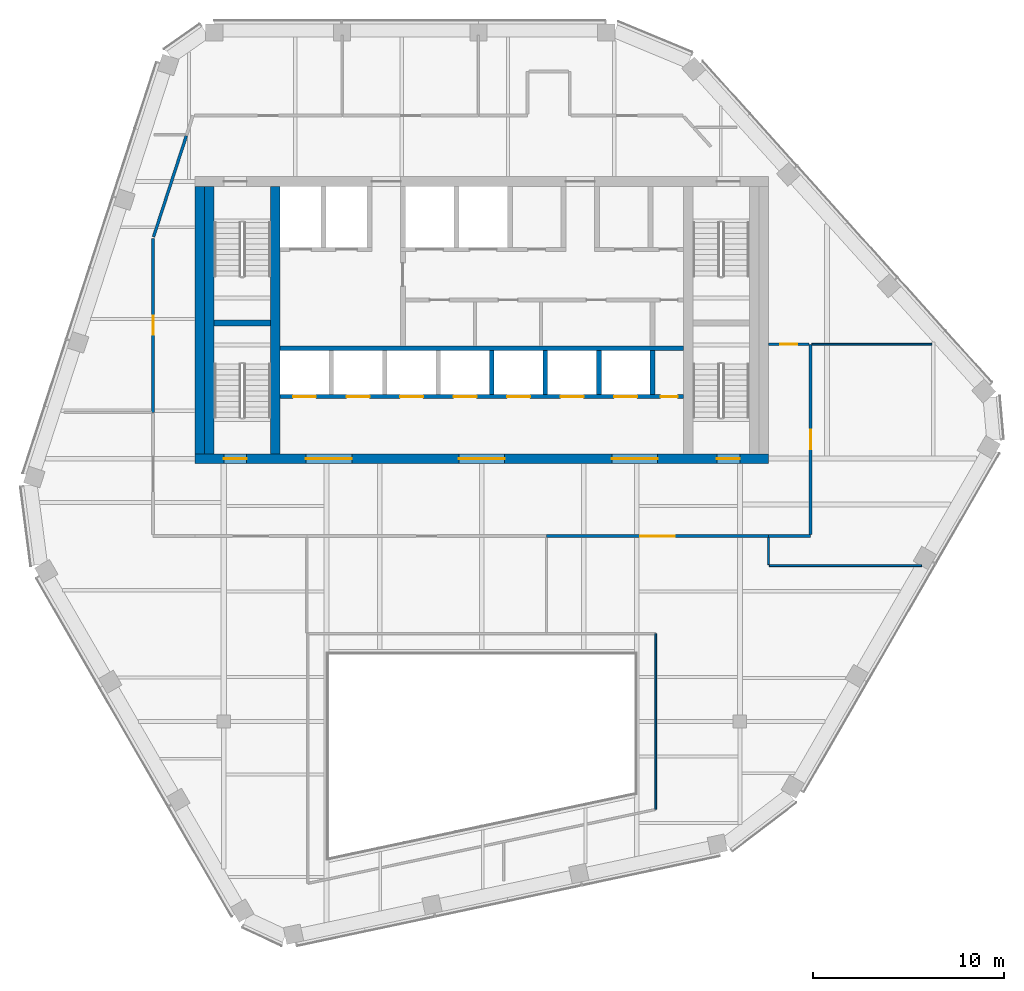
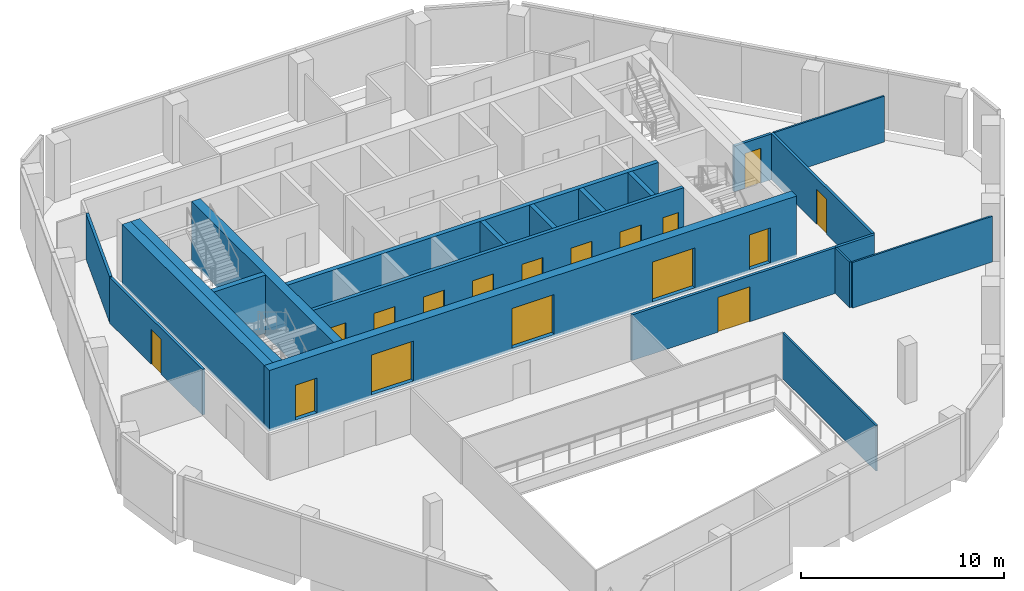
# One storey, part 8 of 15: 21 walls, 17 doors, 17 openings.
"""IFC4 building model written with IfcOpenShell, lengths in metres."""

from ifc_helpers import new_model, si_unit, direction, frame, frame_2d, origin, place, context, subcontext, project, spatial, rectangle, extrude, material, layer, layer_set, type_object, element, fill, save


model = new_model("IFC4")

# Units and contexts
model_context = context("Model", 3, precision=1e-05, world=origin(), true_north=direction((0.0, 1.0)))
body_context = subcontext(model_context, "Body", "Model", "MODEL_VIEW")
ifc_project = project(units=[si_unit("LENGTHUNIT", "METRE"), si_unit("AREAUNIT", "SQUARE_METRE"), si_unit("VOLUMEUNIT", "CUBIC_METRE"), si_unit("PLANEANGLEUNIT", "RADIAN"), si_unit("MASSUNIT", "GRAM", prefix="KILO")], contexts=[model_context])

# Site, building, storey
site_placement = place(None, origin())
site = spatial("IfcSite", under=ifc_project, at=site_placement, CompositionType="ELEMENT")
building_placement = place(site_placement, origin())
building = spatial("IfcBuilding", under=site, at=building_placement, Name="Isthmus Gate Tower", CompositionType="ELEMENT")
storey_placement = place(building_placement, frame((0.0, 0.0, 275.550048828125)))
storey = spatial("IfcBuildingStorey", under=building, at=storey_placement, Name="L70", CompositionType="ELEMENT", Elevation=275.550048828125)

# Wall
ifc_material_1 = material(Name="Fire-rated laminated glass in steel frame", Category="steel")
ifc_layer_1 = layer(ifc_material_1, 0.10009765625)
ifc_layer_set_1 = layer_set([ifc_layer_1], Name="ATRIUM SCREEN GLAZED WALL 100 120 MIN")
wall_type_1 = type_object("IfcWallType", Name="ATRIUM SCREEN GLAZED WALL 100 120 MIN", PredefinedType="PARTITIONING", material=ifc_layer_set_1)
wall_1_placement = place(storey_placement, frame((9.10009765625, -8.89990234375, 0.0), z_axis=(0.0, 0.0, 1.0), x_axis=(0.0, -1.0, 0.0)))
element("IfcWall", 1, at=wall_1_placement, inside=storey, type_object=wall_type_1, Name="L70 atrium screen", PredefinedType="PARTITIONING", context=body_context, shape_type="SweptSolid", body=[
    extrude(rectangle(XDim=9.200927734375, YDim=0.10009765625, at=frame_2d((4.6005859375, 0.0))), origin(), (0.0, 0.0, 1.0), 2.750732421875),
])

# Wall, opening, door
ifc_material_2 = material(Name="Gypsum board on steel studs, fire-rated", Category="steel")
ifc_layer_2 = layer(ifc_material_2, 0.14990234375)
ifc_layer_set_2 = layer_set([ifc_layer_2], Name="CORRIDOR WALL 150 60 MIN")
wall_type_2 = type_object("IfcWallType", Name="CORRIDOR WALL 150 60 MIN", PredefinedType="PARTITIONING", material=ifc_layer_set_2)
wall_2_placement = place(storey_placement, frame((15.0, -3.800048828125, 0.0), z_axis=(0.0, 0.0, 1.0), x_axis=(-1.0, 0.0, 0.0)))
wall_2 = element("IfcWall", 2, at=wall_2_placement, inside=storey, type_object=wall_type_2, Name="L70 Corridor Wall 150 60 Min", PredefinedType="PARTITIONING", context=body_context, shape_type="SweptSolid", body=[
    extrude(rectangle(XDim=11.614990234375, YDim=0.14990234375, at=frame_2d((5.8076171875, 0.0))), origin(), (0.0, 0.0, 1.0), 2.750732421875),
])
opening_1_placement = place(wall_2_placement, frame((4.907470703125, 0.0, 0.0)))
opening_1 = element("IfcOpeningElement", 3, at=opening_1_placement, cuts=wall_2, Name="Opening DT-T6B-10", PredefinedType="OPENING", context=body_context, shape_type="SweptSolid", body=[
    extrude(rectangle(XDim=1.800048828125, YDim=2.10009765625, at=frame_2d((0.89990234375, 1.050048828125))), frame((0.0, 0.0849609375, 0.0), z_axis=(0.0, -1.0, 0.0), x_axis=(1.0, 0.0, 0.0)), (0.0, 0.0, 1.0), 0.169921875),
])
ifc_material_3 = material(Name="Solid core timber door leaf, fire-rated", Category="wood")
door_type_1 = type_object("IfcDoorType", Name="FIRE DOOR ROOM 1800 X 2100 60 MIN", OperationType="DOUBLE_DOOR_DOUBLE_SWING", PredefinedType="DOOR", material=ifc_material_3)
door_1_placement = place(opening_1_placement, origin())
door_1 = element("IfcDoor", 4, at=door_1_placement, inside=storey, type_object=door_type_1, Name="L70 room door", OperationType="DOUBLE_DOOR_DOUBLE_SWING", OverallHeight=2.10009765625, OverallWidth=1.800048828125, PredefinedType="DOOR", context=body_context, shape_type="SweptSolid", body=[
    extrude(rectangle(XDim=1.800048828125, YDim=2.10009765625, at=frame_2d((0.89990234375, 1.050048828125))), frame((0.0, 0.02490234375, 0.0), z_axis=(0.0, -1.0, 0.0), x_axis=(1.0, 0.0, 0.0)), (0.0, 0.0, 1.0), 0.050048828125),
])
fill(opening_1, door_1)

# Wall
wall_3_placement = place(storey_placement, frame((17.199951171875, -3.800048828125, 0.0), z_axis=(0.0, 0.0, 1.0), x_axis=(-1.0, 0.0, 0.0)))
element("IfcWall", 5, at=wall_3_placement, inside=storey, type_object=wall_type_2, Name="L70 Corridor Wall 150 60 Min", PredefinedType="PARTITIONING", context=body_context, shape_type="SweptSolid", body=[
    extrude(rectangle(XDim=2.199951171875, YDim=0.14990234375, at=frame_2d((1.10009765625, 0.0))), origin(), (0.0, 0.0, 1.0), 2.750732421875),
])

# Wall, opening, door
wall_4_placement = place(storey_placement, frame((17.199951171875, 6.235107421875, 0.0), z_axis=(0.0, 0.0, 1.0), x_axis=(0.0, -1.0, 0.0)))
wall_4 = element("IfcWall", 6, at=wall_4_placement, inside=storey, type_object=wall_type_2, Name="L70 Corridor Wall 150 60 Min", PredefinedType="PARTITIONING", context=body_context, shape_type="SweptSolid", body=[
    extrude(rectangle(XDim=9.960205078125, YDim=0.14990234375, at=frame_2d((4.97998046875, 0.0))), origin(), (0.0, 0.0, 1.0), 2.750732421875),
])
opening_2_placement = place(wall_4_placement, frame((4.47998046875, 0.0, 0.0)))
opening_2 = element("IfcOpeningElement", 7, at=opening_2_placement, cuts=wall_4, Name="Opening DT-T6B-06", PredefinedType="OPENING", context=body_context, shape_type="SweptSolid", body=[
    extrude(rectangle(XDim=1.0, YDim=2.10009765625, at=frame_2d((0.5, 1.050048828125))), frame((0.0, 0.0849609375, 0.0), z_axis=(0.0, -1.0, 0.0), x_axis=(1.0, 0.0, 0.0)), (0.0, 0.0, 1.0), 0.169921875),
])
ifc_material_4 = material(Name="Solid core timber door leaf, fire-rated", Category="wood")
door_type_2 = type_object("IfcDoorType", Name="FIRE DOOR ROOM 1000 X 2100 60 MIN", OperationType="SINGLE_SWING_LEFT", PredefinedType="DOOR", material=ifc_material_4)
door_2_placement = place(opening_2_placement, origin())
door_2 = element("IfcDoor", 8, at=door_2_placement, inside=storey, type_object=door_type_2, Name="L70 room door", OperationType="SINGLE_SWING_RIGHT", OverallHeight=2.10009765625, OverallWidth=1.0, PredefinedType="DOOR", context=body_context, shape_type="SweptSolid", body=[
    extrude(rectangle(XDim=1.0, YDim=2.10009765625, at=frame_2d((0.5, 1.050048828125))), frame((0.0, 0.02490234375, 0.0), z_axis=(0.0, -1.0, 0.0), x_axis=(1.0, 0.0, 0.0)), (0.0, 0.0, 1.0), 0.050048828125),
])
fill(opening_2, door_2)

wall_5_placement = place(storey_placement, frame((15.0, 6.235107421875, 0.0), z_axis=(0.0, 0.0, 1.0), x_axis=(1.0, 0.0, 0.0)))
wall_5 = element("IfcWall", 9, at=wall_5_placement, inside=storey, type_object=wall_type_2, Name="L70 Corridor Wall 150 60 Min", PredefinedType="PARTITIONING", context=body_context, shape_type="SweptSolid", body=[
    extrude(rectangle(XDim=2.125, YDim=0.14990234375, at=frame_2d((1.0625, 0.0))), origin(), (0.0, 0.0, 1.0), 2.750732421875),
])
opening_3_placement = place(wall_5_placement, frame((0.612548828125, 0.0, 0.0)))
opening_3 = element("IfcOpeningElement", 10, at=opening_3_placement, cuts=wall_5, Name="Opening DT-T6B-04", PredefinedType="OPENING", context=body_context, shape_type="SweptSolid", body=[
    extrude(rectangle(XDim=0.89990234375, YDim=2.10009765625, at=frame_2d((0.449951171875, 1.050048828125))), frame((0.0, 0.0849609375, 0.0), z_axis=(0.0, -1.0, 0.0), x_axis=(1.0, 0.0, 0.0)), (0.0, 0.0, 1.0), 0.169921875),
])
ifc_material_5 = material(Name="Solid core timber door leaf, fire-rated", Category="wood")
door_type_3 = type_object("IfcDoorType", Name="FIRE DOOR ROOM 900 X 2100 60 MIN", OperationType="SINGLE_SWING_LEFT", PredefinedType="DOOR", material=ifc_material_5)
door_3_placement = place(opening_3_placement, origin())
door_3 = element("IfcDoor", 11, at=door_3_placement, inside=storey, type_object=door_type_3, Name="L70 room door", OperationType="SINGLE_SWING_LEFT", OverallHeight=2.10009765625, OverallWidth=0.89990234375, PredefinedType="DOOR", context=body_context, shape_type="SweptSolid", body=[
    extrude(rectangle(XDim=0.89990234375, YDim=2.10009765625, at=frame_2d((0.449951171875, 1.050048828125))), frame((0.0, 0.02490234375, 0.0), z_axis=(0.0, -1.0, 0.0), x_axis=(1.0, 0.0, 0.0)), (0.0, 0.0, 1.0), 0.050048828125),
])
fill(opening_3, door_3)

wall_6_placement = place(storey_placement, frame((-17.199951171875, 2.669921875, 0.0), z_axis=(0.0, 0.0, 1.0), x_axis=(0.0, 1.0, 0.0)))
wall_6 = element("IfcWall", 12, at=wall_6_placement, inside=storey, type_object=wall_type_2, Name="L70 Corridor Wall 150 60 Min", PredefinedType="PARTITIONING", context=body_context, shape_type="SweptSolid", body=[
    extrude(rectangle(XDim=9.107177734375, YDim=0.14990234375, at=frame_2d((4.5537109375, 0.0))), origin(), (0.0, 0.0, 1.0), 2.750732421875),
])
opening_4_placement = place(wall_6_placement, frame((4.053466796875, 0.0, 0.0)))
opening_4 = element("IfcOpeningElement", 13, at=opening_4_placement, cuts=wall_6, Name="Opening DT-T6B-05", PredefinedType="OPENING", context=body_context, shape_type="SweptSolid", body=[
    extrude(rectangle(XDim=1.0, YDim=2.10009765625, at=frame_2d((0.5, 1.050048828125))), frame((0.0, 0.0849609375, 0.0), z_axis=(0.0, -1.0, 0.0), x_axis=(1.0, 0.0, 0.0)), (0.0, 0.0, 1.0), 0.169921875),
])
door_4_placement = place(opening_4_placement, origin())
door_4 = element("IfcDoor", 14, at=door_4_placement, inside=storey, type_object=door_type_2, Name="L70 room door", OperationType="SINGLE_SWING_RIGHT", OverallHeight=2.10009765625, OverallWidth=1.0, PredefinedType="DOOR", context=body_context, shape_type="SweptSolid", body=[
    extrude(rectangle(XDim=1.0, YDim=2.10009765625, at=frame_2d((0.5, 1.050048828125))), frame((0.0, 0.02490234375, 0.0), z_axis=(0.0, -1.0, 0.0), x_axis=(1.0, 0.0, 0.0)), (0.0, 0.0, 1.0), 0.050048828125),
])
fill(opening_4, door_4)

# Walls
wall_7_placement = place(storey_placement, frame((-17.1767578125, 11.848388671875, 0.0), z_axis=(0.0, 0.0, 1.0), x_axis=(0.309030503714, 0.951052126739, 0.0)))
element("IfcWall", 15, at=wall_7_placement, inside=storey, type_object=wall_type_2, Name="L70 Corridor Wall 150 60 Min", PredefinedType="PARTITIONING", context=body_context, shape_type="SweptSolid", body=[
    extrude(rectangle(XDim=5.563232421875, YDim=0.14990234375, at=frame_2d((2.78173828125, 0.0))), origin(), (0.0, 0.0, 1.0), 2.750732421875),
])
ifc_material_6 = material(Name="Concrete f'c 50 MPa", Category="concrete")
ifc_layer_3 = layer(ifc_material_6, 0.5)
ifc_layer_set_3 = layer_set([ifc_layer_3], Name="RC CORE SPINE WALL 500 F'C 50")
wall_type_3 = type_object("IfcWallType", Name="RC CORE SPINE WALL 500 F'C 50", PredefinedType="SOLIDWALL", material=ifc_layer_set_3)
wall_8_placement = place(storey_placement, frame((-10.800048828125, 0.5, -0.150146484375), z_axis=(0.0, 0.0, 1.0), x_axis=(0.0, 1.0, 0.0)))
element("IfcWall", 16, at=wall_8_placement, inside=storey, type_object=wall_type_3, Name="str-corewall-L70-SPW", PredefinedType="SOLIDWALL", context=body_context, shape_type="SweptSolid", body=[
    extrude(rectangle(XDim=14.0, YDim=0.5, at=frame_2d((7.0, 0.0))), origin(), (0.0, 0.0, 1.0), 3.650146484375),
])

# Wall, openings, doors
ifc_material_7 = material(Name="Concrete f'c 50 MPa", Category="concrete")
ifc_layer_4 = layer(ifc_material_7, 0.5)
ifc_layer_set_4 = layer_set([ifc_layer_4], Name="RC CORE WALL 500 F'C 50")
wall_type_4 = type_object("IfcWallType", Name="RC CORE WALL 500 F'C 50", PredefinedType="SOLIDWALL", material=ifc_layer_set_4)
wall_9_placement = place(storey_placement, frame((-15.0, 0.25, -0.150146484375), z_axis=(0.0, 0.0, 1.0), x_axis=(1.0, 0.0, 0.0)))
wall_9 = element("IfcWall", 17, at=wall_9_placement, inside=storey, type_object=wall_type_4, Name="str-corewall-L70-S", PredefinedType="SOLIDWALL", context=body_context, shape_type="SweptSolid", body=[
    extrude(rectangle(XDim=30.0, YDim=0.5, at=frame_2d((15.0, 0.0))), origin(), (0.0, 0.0, 1.0), 3.650146484375),
])
opening_5_placement = place(wall_9_placement, frame((5.800048828125, 0.0, 0.14990234375)))
opening_5 = element("IfcOpeningElement", 18, at=opening_5_placement, cuts=wall_9, Name="Opening DC-A20-10", PredefinedType="OPENING", context=body_context, shape_type="SweptSolid", body=[
    extrude(rectangle(XDim=2.39990234375, YDim=2.39990234375, at=frame_2d((1.199951171875, 1.199951171875))), frame((0.0, 0.260009765625, 0.0), z_axis=(0.0, -1.0, 0.0), x_axis=(1.0, 0.0, 0.0)), (0.0, 0.0, 1.0), 0.52001953125),
])
opening_6_placement = place(wall_9_placement, frame((13.800048828125, 0.0, 0.14990234375)))
opening_6 = element("IfcOpeningElement", 19, at=opening_6_placement, cuts=wall_9, Name="Opening DC-A20-11", PredefinedType="OPENING", context=body_context, shape_type="SweptSolid", body=[
    extrude(rectangle(XDim=2.39990234375, YDim=2.39990234375, at=frame_2d((1.199951171875, 1.199951171875))), frame((0.0, 0.260009765625, 0.0), z_axis=(0.0, -1.0, 0.0), x_axis=(1.0, 0.0, 0.0)), (0.0, 0.0, 1.0), 0.52001953125),
])
opening_7_placement = place(wall_9_placement, frame((21.800048828125, 0.0, 0.14990234375)))
opening_7 = element("IfcOpeningElement", 20, at=opening_7_placement, cuts=wall_9, Name="Opening DC-A20-12", PredefinedType="OPENING", context=body_context, shape_type="SweptSolid", body=[
    extrude(rectangle(XDim=2.39990234375, YDim=2.39990234375, at=frame_2d((1.199951171875, 1.199951171875))), frame((0.0, 0.260009765625, 0.0), z_axis=(0.0, -1.0, 0.0), x_axis=(1.0, 0.0, 0.0)), (0.0, 0.0, 1.0), 0.52001953125),
])
opening_8_placement = place(wall_9_placement, frame((1.5, 0.0, 0.14990234375)))
opening_8 = element("IfcOpeningElement", 21, at=opening_8_placement, cuts=wall_9, Name="Opening DC-A20-17", PredefinedType="OPENING", context=body_context, shape_type="SweptSolid", body=[
    extrude(rectangle(XDim=1.199951171875, YDim=2.10009765625, at=frame_2d((0.60009765625, 1.050048828125))), frame((0.0, 0.260009765625, 0.0), z_axis=(0.0, -1.0, 0.0), x_axis=(1.0, 0.0, 0.0)), (0.0, 0.0, 1.0), 0.52001953125),
])
opening_9_placement = place(wall_9_placement, frame((27.300048828125, 0.0, 0.14990234375)))
opening_9 = element("IfcOpeningElement", 22, at=opening_9_placement, cuts=wall_9, Name="Opening DC-A20-18", PredefinedType="OPENING", context=body_context, shape_type="SweptSolid", body=[
    extrude(rectangle(XDim=1.199951171875, YDim=2.10009765625, at=frame_2d((0.60009765625, 1.050048828125))), frame((0.0, 0.260009765625, 0.0), z_axis=(0.0, -1.0, 0.0), x_axis=(1.0, 0.0, 0.0)), (0.0, 0.0, 1.0), 0.52001953125),
])
ifc_material_8 = material(Name="Laminated safety glass in steel frame, fire-rated", Category="steel")
door_type_4 = type_object("IfcDoorType", Name="LOBBY ENTRANCE FIRE DOOR 2400 X 2400 60 MIN", OperationType="DOUBLE_DOOR_DOUBLE_SWING", PredefinedType="DOOR", material=ifc_material_8)
door_5_placement = place(opening_5_placement, origin())
door_5 = element("IfcDoor", 23, at=door_5_placement, inside=storey, type_object=door_type_4, Name="Lobby Entrance PS-W", OperationType="DOUBLE_DOOR_DOUBLE_SWING", OverallHeight=2.39990234375, OverallWidth=2.39990234375, PredefinedType="DOOR", context=body_context, shape_type="SweptSolid", body=[
    extrude(rectangle(XDim=2.39990234375, YDim=2.39990234375, at=frame_2d((1.199951171875, 1.199951171875))), frame((0.0, 0.02490234375, 0.0), z_axis=(0.0, -1.0, 0.0), x_axis=(1.0, 0.0, 0.0)), (0.0, 0.0, 1.0), 0.050048828125),
])
fill(opening_5, door_5)
door_6_placement = place(opening_6_placement, origin())
door_6 = element("IfcDoor", 24, at=door_6_placement, inside=storey, type_object=door_type_4, Name="Lobby Entrance PS-C", OperationType="DOUBLE_DOOR_DOUBLE_SWING", OverallHeight=2.39990234375, OverallWidth=2.39990234375, PredefinedType="DOOR", context=body_context, shape_type="SweptSolid", body=[
    extrude(rectangle(XDim=2.39990234375, YDim=2.39990234375, at=frame_2d((1.199951171875, 1.199951171875))), frame((0.0, 0.02490234375, 0.0), z_axis=(0.0, -1.0, 0.0), x_axis=(1.0, 0.0, 0.0)), (0.0, 0.0, 1.0), 0.050048828125),
])
fill(opening_6, door_6)
door_7_placement = place(opening_7_placement, origin())
door_7 = element("IfcDoor", 25, at=door_7_placement, inside=storey, type_object=door_type_4, Name="Lobby Entrance PS-E", OperationType="DOUBLE_DOOR_DOUBLE_SWING", OverallHeight=2.39990234375, OverallWidth=2.39990234375, PredefinedType="DOOR", context=body_context, shape_type="SweptSolid", body=[
    extrude(rectangle(XDim=2.39990234375, YDim=2.39990234375, at=frame_2d((1.199951171875, 1.199951171875))), frame((0.0, 0.02490234375, 0.0), z_axis=(0.0, -1.0, 0.0), x_axis=(1.0, 0.0, 0.0)), (0.0, 0.0, 1.0), 0.050048828125),
])
fill(opening_7, door_7)
ifc_material_9 = material(Name="Steel door leaf, fire-rated", Category="steel")
door_type_5 = type_object("IfcDoorType", Name="STAIR FIRE DOOR 1200 X 2100 90 MIN", OperationType="SINGLE_SWING_LEFT", PredefinedType="DOOR", material=ifc_material_9)
door_8_placement = place(opening_8_placement, origin())
door_8 = element("IfcDoor", 26, at=door_8_placement, inside=storey, type_object=door_type_5, Name="Exit Stair 7 Door", OperationType="SINGLE_SWING_LEFT", OverallHeight=2.10009765625, OverallWidth=1.199951171875, PredefinedType="DOOR", context=body_context, shape_type="SweptSolid", body=[
    extrude(rectangle(XDim=1.199951171875, YDim=2.10009765625, at=frame_2d((0.60009765625, 1.050048828125))), frame((0.0, 0.02490234375, 0.0), z_axis=(0.0, -1.0, 0.0), x_axis=(1.0, 0.0, 0.0)), (0.0, 0.0, 1.0), 0.050048828125),
])
fill(opening_8, door_8)
door_9_placement = place(opening_9_placement, origin())
door_9 = element("IfcDoor", 27, at=door_9_placement, inside=storey, type_object=door_type_5, Name="Exit Stair 8 Door", OperationType="SINGLE_SWING_RIGHT", OverallHeight=2.10009765625, OverallWidth=1.199951171875, PredefinedType="DOOR", context=body_context, shape_type="SweptSolid", body=[
    extrude(rectangle(XDim=1.199951171875, YDim=2.10009765625, at=frame_2d((0.60009765625, 1.050048828125))), frame((0.0, 0.02490234375, 0.0), z_axis=(0.0, -1.0, 0.0), x_axis=(1.0, 0.0, 0.0)), (0.0, 0.0, 1.0), 0.050048828125),
])
fill(opening_9, door_9)

# Walls
wall_10_placement = place(storey_placement, frame((-14.75, 0.5, -0.150146484375), z_axis=(0.0, 0.0, 1.0), x_axis=(0.0, 1.0, 0.0)))
element("IfcWall", 28, at=wall_10_placement, inside=storey, type_object=wall_type_4, Name="str-corewall-L70-W", PredefinedType="SOLIDWALL", context=body_context, shape_type="SweptSolid", body=[
    extrude(rectangle(XDim=14.0, YDim=0.5, at=frame_2d((7.0, 0.0))), origin(), (0.0, 0.0, 1.0), 3.650146484375),
])
ifc_material_10 = material(Name="Gypsum board on steel studs, fire-rated", Category="steel")
ifc_layer_5 = layer(ifc_material_10, 0.10009765625)
ifc_layer_set_5 = layer_set([ifc_layer_5], Name="ROOM PARTITION 100 30 MIN")
wall_type_5 = type_object("IfcWallType", Name="ROOM PARTITION 100 30 MIN", PredefinedType="PARTITIONING", material=ifc_layer_set_5)
wall_11_placement = place(storey_placement, frame((17.27490234375, 6.235107421875, 0.0), z_axis=(0.0, 0.0, 1.0), x_axis=(0.999999962915, 0.00027234174, 0.0)))
element("IfcWall", 29, at=wall_11_placement, inside=storey, type_object=wall_type_5, Name="L70 Room Partition 100 30 Min", PredefinedType="PARTITIONING", context=body_context, shape_type="SweptSolid", body=[
    extrude(rectangle(XDim=6.275146484375, YDim=0.10009765625, at=frame_2d((3.1376953125, 0.0))), origin(), (0.0, 0.0, 1.0), 2.750732421875),
])
wall_12_placement = place(storey_placement, frame((15.050048828125, -5.35009765625, 0.0), z_axis=(0.0, 0.0, 1.0), x_axis=(1.0, 0.0, 0.0)))
element("IfcWall", 30, at=wall_12_placement, inside=storey, type_object=wall_type_5, Name="L70 Room Partition 100 30 Min", PredefinedType="PARTITIONING", context=body_context, shape_type="SweptSolid", body=[
    extrude(rectangle(XDim=7.9599609375, YDim=0.10009765625, at=frame_2d((3.97998046875, 0.0))), origin(), (0.0, 0.0, 1.0), 2.750732421875),
])
wall_13_placement = place(storey_placement, frame((15.0, -5.300048828125, 0.0), z_axis=(0.0, 0.0, 1.0), x_axis=(0.0, 1.0, 0.0)))
element("IfcWall", 31, at=wall_13_placement, inside=storey, type_object=wall_type_5, Name="L70 Room Partition 100 30 Min", PredefinedType="PARTITIONING", context=body_context, shape_type="SweptSolid", body=[
    extrude(rectangle(XDim=1.425048828125, YDim=0.10009765625, at=frame_2d((0.71240234375, 0.0))), origin(), (0.0, 0.0, 1.0), 2.750732421875),
])

# Wall, openings, doors
ifc_material_11 = material(Name="Fire-rated blockwork masonry, 15 MPa", Category="masonry")
ifc_layer_6 = layer(ifc_material_11, 0.199951171875)
ifc_layer_set_6 = layer_set([ifc_layer_6], Name="SHAFT FRONT WALL 200 120 MIN")
wall_type_6 = type_object("IfcWallType", Name="SHAFT FRONT WALL 200 120 MIN", PredefinedType="PARTITIONING", material=ifc_layer_set_6)
wall_14_placement = place(storey_placement, frame((-10.550048828125, 3.5, 0.0), z_axis=(0.0, 0.0, 1.0), x_axis=(1.0, 0.0, 0.0)))
wall_14 = element("IfcWall", 32, at=wall_14_placement, inside=storey, type_object=wall_type_6, Name="L70 SHAFT FRONT WALL 200 120 MIN", PredefinedType="PARTITIONING", context=body_context, shape_type="SweptSolid", body=[
    extrude(rectangle(XDim=21.10009765625, YDim=0.199951171875, at=frame_2d((10.550048828125, 0.0))), origin(), (0.0, 0.0, 1.0), 3.5),
])
opening_10_placement = place(wall_14_placement, frame((0.675048828125, 0.0, 0.0)))
opening_10 = element("IfcOpeningElement", 33, at=opening_10_placement, cuts=wall_14, Name="Opening LD-LC1", PredefinedType="OPENING", context=body_context, shape_type="SweptSolid", body=[
    extrude(rectangle(XDim=1.199951171875, YDim=2.10009765625, at=frame_2d((0.60009765625, 1.050048828125))), frame((0.0, 0.10986328125, 0.0), z_axis=(0.0, -1.0, 0.0), x_axis=(1.0, 0.0, 0.0)), (0.0, 0.0, 1.0), 0.219970703125),
])
opening_11_placement = place(wall_14_placement, frame((3.47509765625, 0.0, 0.0)))
opening_11 = element("IfcOpeningElement", 34, at=opening_11_placement, cuts=wall_14, Name="Opening LD-LC2", PredefinedType="OPENING", context=body_context, shape_type="SweptSolid", body=[
    extrude(rectangle(XDim=1.199951171875, YDim=2.10009765625, at=frame_2d((0.60009765625, 1.050048828125))), frame((0.0, 0.10986328125, 0.0), z_axis=(0.0, -1.0, 0.0), x_axis=(1.0, 0.0, 0.0)), (0.0, 0.0, 1.0), 0.219970703125),
])
opening_12_placement = place(wall_14_placement, frame((6.27490234375, 0.0, 0.0)))
opening_12 = element("IfcOpeningElement", 35, at=opening_12_placement, cuts=wall_14, Name="Opening LD-LC3", PredefinedType="OPENING", context=body_context, shape_type="SweptSolid", body=[
    extrude(rectangle(XDim=1.199951171875, YDim=2.10009765625, at=frame_2d((0.60009765625, 1.050048828125))), frame((0.0, 0.10986328125, 0.0), z_axis=(0.0, -1.0, 0.0), x_axis=(1.0, 0.0, 0.0)), (0.0, 0.0, 1.0), 0.219970703125),
])
opening_13_placement = place(wall_14_placement, frame((9.074951171875, 0.0, 0.0)))
opening_13 = element("IfcOpeningElement", 36, at=opening_13_placement, cuts=wall_14, Name="Opening LD-LC4", PredefinedType="OPENING", context=body_context, shape_type="SweptSolid", body=[
    extrude(rectangle(XDim=1.199951171875, YDim=2.10009765625, at=frame_2d((0.60009765625, 1.050048828125))), frame((0.0, 0.10986328125, 0.0), z_axis=(0.0, -1.0, 0.0), x_axis=(1.0, 0.0, 0.0)), (0.0, 0.0, 1.0), 0.219970703125),
])
opening_14_placement = place(wall_14_placement, frame((11.875, 0.0, 0.0)))
opening_14 = element("IfcOpeningElement", 37, at=opening_14_placement, cuts=wall_14, Name="Opening LD-LC5", PredefinedType="OPENING", context=body_context, shape_type="SweptSolid", body=[
    extrude(rectangle(XDim=1.199951171875, YDim=2.10009765625, at=frame_2d((0.60009765625, 1.050048828125))), frame((0.0, 0.10986328125, 0.0), z_axis=(0.0, -1.0, 0.0), x_axis=(1.0, 0.0, 0.0)), (0.0, 0.0, 1.0), 0.219970703125),
])
opening_15_placement = place(wall_14_placement, frame((14.675048828125, 0.0, 0.0)))
opening_15 = element("IfcOpeningElement", 38, at=opening_15_placement, cuts=wall_14, Name="Opening LD-LC6", PredefinedType="OPENING", context=body_context, shape_type="SweptSolid", body=[
    extrude(rectangle(XDim=1.199951171875, YDim=2.10009765625, at=frame_2d((0.60009765625, 1.050048828125))), frame((0.0, 0.10986328125, 0.0), z_axis=(0.0, -1.0, 0.0), x_axis=(1.0, 0.0, 0.0)), (0.0, 0.0, 1.0), 0.219970703125),
])
opening_16_placement = place(wall_14_placement, frame((17.47509765625, 0.0, 0.0)))
opening_16 = element("IfcOpeningElement", 39, at=opening_16_placement, cuts=wall_14, Name="Opening LD-LC7", PredefinedType="OPENING", context=body_context, shape_type="SweptSolid", body=[
    extrude(rectangle(XDim=1.199951171875, YDim=2.10009765625, at=frame_2d((0.60009765625, 1.050048828125))), frame((0.0, 0.10986328125, 0.0), z_axis=(0.0, -1.0, 0.0), x_axis=(1.0, 0.0, 0.0)), (0.0, 0.0, 1.0), 0.219970703125),
])
opening_17_placement = place(wall_14_placement, frame((19.89990234375, 0.0, 0.0)))
opening_17 = element("IfcOpeningElement", 40, at=opening_17_placement, cuts=wall_14, Name="Opening DC-A20-02", PredefinedType="OPENING", context=body_context, shape_type="SweptSolid", body=[
    extrude(rectangle(XDim=0.89990234375, YDim=2.10009765625, at=frame_2d((0.449951171875, 1.050048828125))), frame((0.0, 0.10986328125, 0.0), z_axis=(0.0, -1.0, 0.0), x_axis=(1.0, 0.0, 0.0)), (0.0, 0.0, 1.0), 0.219970703125),
])
ifc_material_12 = material(Name="Stainless steel sliding leaf", Category="steel")
door_type_6 = type_object("IfcDoorType", Name="LIFT LANDING FIRE DOOR 1200 X 2100 90 MIN", OperationType="DOUBLE_DOOR_SLIDING", PredefinedType="DOOR", material=ifc_material_12)
door_10_placement = place(opening_10_placement, origin())
door_10 = element("IfcDoor", 41, at=door_10_placement, inside=storey, type_object=door_type_6, Name="Lift Landing Door LC1", OperationType="DOUBLE_DOOR_SLIDING", OverallHeight=2.10009765625, OverallWidth=1.199951171875, PredefinedType="DOOR", context=body_context, shape_type="SweptSolid", body=[
    extrude(rectangle(XDim=1.199951171875, YDim=2.10009765625, at=frame_2d((0.60009765625, 1.050048828125))), frame((0.0, 0.02490234375, 0.0), z_axis=(0.0, -1.0, 0.0), x_axis=(1.0, 0.0, 0.0)), (0.0, 0.0, 1.0), 0.050048828125),
])
fill(opening_10, door_10)
door_11_placement = place(opening_11_placement, origin())
door_11 = element("IfcDoor", 42, at=door_11_placement, inside=storey, type_object=door_type_6, Name="Lift Landing Door LC2", OperationType="DOUBLE_DOOR_SLIDING", OverallHeight=2.10009765625, OverallWidth=1.199951171875, PredefinedType="DOOR", context=body_context, shape_type="SweptSolid", body=[
    extrude(rectangle(XDim=1.199951171875, YDim=2.10009765625, at=frame_2d((0.60009765625, 1.050048828125))), frame((0.0, 0.02490234375, 0.0), z_axis=(0.0, -1.0, 0.0), x_axis=(1.0, 0.0, 0.0)), (0.0, 0.0, 1.0), 0.050048828125),
])
fill(opening_11, door_11)
door_12_placement = place(opening_12_placement, origin())
door_12 = element("IfcDoor", 43, at=door_12_placement, inside=storey, type_object=door_type_6, Name="Lift Landing Door LC3", OperationType="DOUBLE_DOOR_SLIDING", OverallHeight=2.10009765625, OverallWidth=1.199951171875, PredefinedType="DOOR", context=body_context, shape_type="SweptSolid", body=[
    extrude(rectangle(XDim=1.199951171875, YDim=2.10009765625, at=frame_2d((0.60009765625, 1.050048828125))), frame((0.0, 0.02490234375, 0.0), z_axis=(0.0, -1.0, 0.0), x_axis=(1.0, 0.0, 0.0)), (0.0, 0.0, 1.0), 0.050048828125),
])
fill(opening_12, door_12)
door_13_placement = place(opening_13_placement, origin())
door_13 = element("IfcDoor", 44, at=door_13_placement, inside=storey, type_object=door_type_6, Name="Lift Landing Door LC4", OperationType="DOUBLE_DOOR_SLIDING", OverallHeight=2.10009765625, OverallWidth=1.199951171875, PredefinedType="DOOR", context=body_context, shape_type="SweptSolid", body=[
    extrude(rectangle(XDim=1.199951171875, YDim=2.10009765625, at=frame_2d((0.60009765625, 1.050048828125))), frame((0.0, 0.02490234375, 0.0), z_axis=(0.0, -1.0, 0.0), x_axis=(1.0, 0.0, 0.0)), (0.0, 0.0, 1.0), 0.050048828125),
])
fill(opening_13, door_13)
door_14_placement = place(opening_14_placement, origin())
door_14 = element("IfcDoor", 45, at=door_14_placement, inside=storey, type_object=door_type_6, Name="Lift Landing Door LC5", OperationType="DOUBLE_DOOR_SLIDING", OverallHeight=2.10009765625, OverallWidth=1.199951171875, PredefinedType="DOOR", context=body_context, shape_type="SweptSolid", body=[
    extrude(rectangle(XDim=1.199951171875, YDim=2.10009765625, at=frame_2d((0.60009765625, 1.050048828125))), frame((0.0, 0.02490234375, 0.0), z_axis=(0.0, -1.0, 0.0), x_axis=(1.0, 0.0, 0.0)), (0.0, 0.0, 1.0), 0.050048828125),
])
fill(opening_14, door_14)
door_15_placement = place(opening_15_placement, origin())
door_15 = element("IfcDoor", 46, at=door_15_placement, inside=storey, type_object=door_type_6, Name="Lift Landing Door LC6", OperationType="DOUBLE_DOOR_SLIDING", OverallHeight=2.10009765625, OverallWidth=1.199951171875, PredefinedType="DOOR", context=body_context, shape_type="SweptSolid", body=[
    extrude(rectangle(XDim=1.199951171875, YDim=2.10009765625, at=frame_2d((0.60009765625, 1.050048828125))), frame((0.0, 0.02490234375, 0.0), z_axis=(0.0, -1.0, 0.0), x_axis=(1.0, 0.0, 0.0)), (0.0, 0.0, 1.0), 0.050048828125),
])
fill(opening_15, door_15)
door_16_placement = place(opening_16_placement, origin())
door_16 = element("IfcDoor", 47, at=door_16_placement, inside=storey, type_object=door_type_6, Name="Lift Landing Door LC7", OperationType="DOUBLE_DOOR_SLIDING", OverallHeight=2.10009765625, OverallWidth=1.199951171875, PredefinedType="DOOR", context=body_context, shape_type="SweptSolid", body=[
    extrude(rectangle(XDim=1.199951171875, YDim=2.10009765625, at=frame_2d((0.60009765625, 1.050048828125))), frame((0.0, 0.02490234375, 0.0), z_axis=(0.0, -1.0, 0.0), x_axis=(1.0, 0.0, 0.0)), (0.0, 0.0, 1.0), 0.050048828125),
])
fill(opening_16, door_16)
ifc_material_13 = material(Name="Steel door leaf, fire-rated", Category="steel")
door_type_7 = type_object("IfcDoorType", Name="RISER FIRE DOOR 900 X 2100 90 MIN", OperationType="SINGLE_SWING_LEFT", PredefinedType="DOOR", material=ifc_material_13)
door_17_placement = place(opening_17_placement, origin())
door_17 = element("IfcDoor", 48, at=door_17_placement, inside=storey, type_object=door_type_7, Name="Riser Door", OperationType="SINGLE_SWING_RIGHT", OverallHeight=2.10009765625, OverallWidth=0.89990234375, PredefinedType="DOOR", context=body_context, shape_type="SweptSolid", body=[
    extrude(rectangle(XDim=0.89990234375, YDim=2.10009765625, at=frame_2d((0.449951171875, 1.050048828125))), frame((0.0, 0.02490234375, 0.0), z_axis=(0.0, -1.0, 0.0), x_axis=(1.0, 0.0, 0.0)), (0.0, 0.0, 1.0), 0.050048828125),
])
fill(opening_17, door_17)

# Walls
ifc_material_14 = material(Name="Fire-rated blockwork masonry, 15 MPa", Category="masonry")
ifc_layer_7 = layer(ifc_material_14, 0.25)
ifc_layer_set_7 = layer_set([ifc_layer_7], Name="SHAFT WALL 250 120 MIN")
wall_type_7 = type_object("IfcWallType", Name="SHAFT WALL 250 120 MIN", PredefinedType="PARTITIONING", material=ifc_layer_set_7)
wall_15_placement = place(storey_placement, frame((-10.550048828125, 6.02490234375, 0.0), z_axis=(0.0, 0.0, 1.0), x_axis=(1.0, 0.0, 0.0)))
element("IfcWall", 49, at=wall_15_placement, inside=storey, type_object=wall_type_7, Name="L70 SHAFT WALL 250 120 MIN", PredefinedType="PARTITIONING", context=body_context, shape_type="SweptSolid", body=[
    extrude(rectangle(XDim=21.10009765625, YDim=0.25, at=frame_2d((10.550048828125, 0.0))), origin(), (0.0, 0.0, 1.0), 3.5),
])
for number, where, z_axis, x_axis, name in (
    (50, (0.52490234375, 3.60009765625, 0.0), (0.0, 0.0, 1.0), (0.0, 1.0, 0.0), "L70 SHAFT WALL 250 120 MIN"),
    (51, (3.324951171875, 3.60009765625, 0.0), (0.0, 0.0, 1.0), (0.0, 1.0, 0.0), "L70 SHAFT WALL 250 120 MIN"),
    (52, (6.125, 3.60009765625, 0.0), (0.0, 0.0, 1.0), (0.0, 1.0, 0.0), "L70 SHAFT WALL 250 120 MIN"),
    (53, (8.925048828125, 3.60009765625, 0.0), (0.0, 0.0, 1.0), (0.0, 1.0, 0.0), "L70 SHAFT WALL 250 120 MIN"),
):
    element("IfcWall", number, at=place(storey_placement, frame(where, z_axis=z_axis, x_axis=x_axis)), inside=storey, type_object=wall_type_7, Name=name, PredefinedType="PARTITIONING", context=body_context, shape_type="SweptSolid", body=[
        extrude(rectangle(XDim=2.2998046875, YDim=0.25, at=frame_2d((1.14990234375, 0.0))), origin(), (0.0, 0.0, 1.0), 3.5),
    ])
ifc_material_15 = material(Name="Concrete f'c 40 MPa", Category="concrete")
ifc_layer_8 = layer(ifc_material_15, 0.300048828125)
ifc_layer_set_8 = layer_set([ifc_layer_8], Name="STAIR ENCLOSURE WALL 300 180 MIN")
wall_type_8 = type_object("IfcWallType", Name="STAIR ENCLOSURE WALL 300 180 MIN", PredefinedType="SOLIDWALL", material=ifc_layer_set_8)
wall_16_placement = place(storey_placement, frame((-14.0, 7.35009765625, 0.0), z_axis=(0.0, 0.0, 1.0), x_axis=(1.0, 0.0, 0.0)))
element("IfcWall", 54, at=wall_16_placement, inside=storey, type_object=wall_type_8, Name="L70 STAIR ENCLOSURE WALL 300 180 MIN", PredefinedType="SOLIDWALL", context=body_context, shape_type="SweptSolid", body=[
    extrude(rectangle(XDim=2.949951171875, YDim=0.300048828125, at=frame_2d((1.47509765625, 0.0))), origin(), (0.0, 0.0, 1.0), 3.5),
])
ifc_material_16 = material(Name="Concrete f'c 40 MPa", Category="concrete")
ifc_layer_9 = layer(ifc_material_16, 0.5)
ifc_layer_set_9 = layer_set([ifc_layer_9], Name="STAIR ENCLOSURE WALL 500 180 MIN")
wall_type_9 = type_object("IfcWallType", Name="STAIR ENCLOSURE WALL 500 180 MIN", PredefinedType="SOLIDWALL", material=ifc_layer_set_9)
wall_17_placement = place(storey_placement, frame((-14.25, 0.5, 0.0), z_axis=(0.0, 0.0, 1.0), x_axis=(0.0, 1.0, 0.0)))
element("IfcWall", 55, at=wall_17_placement, inside=storey, type_object=wall_type_9, Name="L70 STAIR ENCLOSURE WALL 500 180 MIN", PredefinedType="SOLIDWALL", context=body_context, shape_type="SweptSolid", body=[
    extrude(rectangle(XDim=14.0, YDim=0.5, at=frame_2d((7.0, 0.0))), origin(), (0.0, 0.0, 1.0), 3.5),
])

save(model, "model.ifc")
